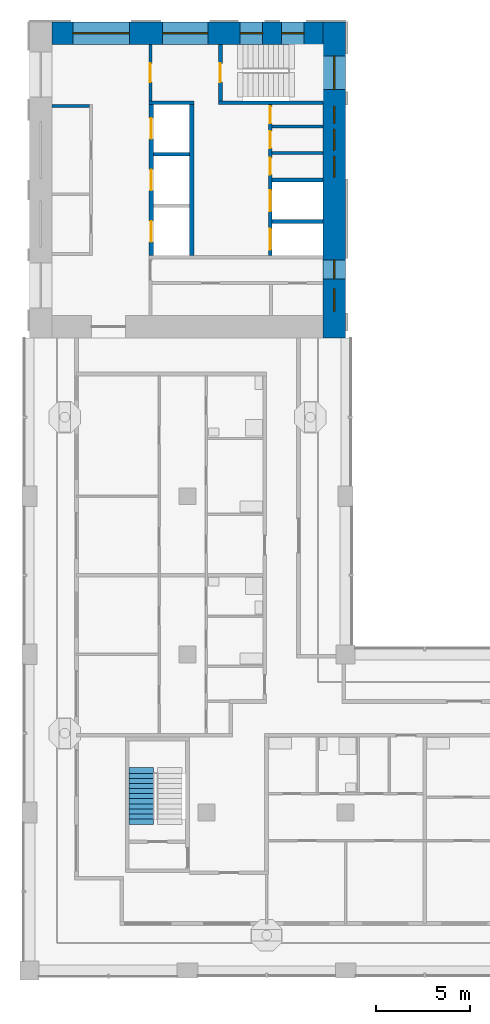
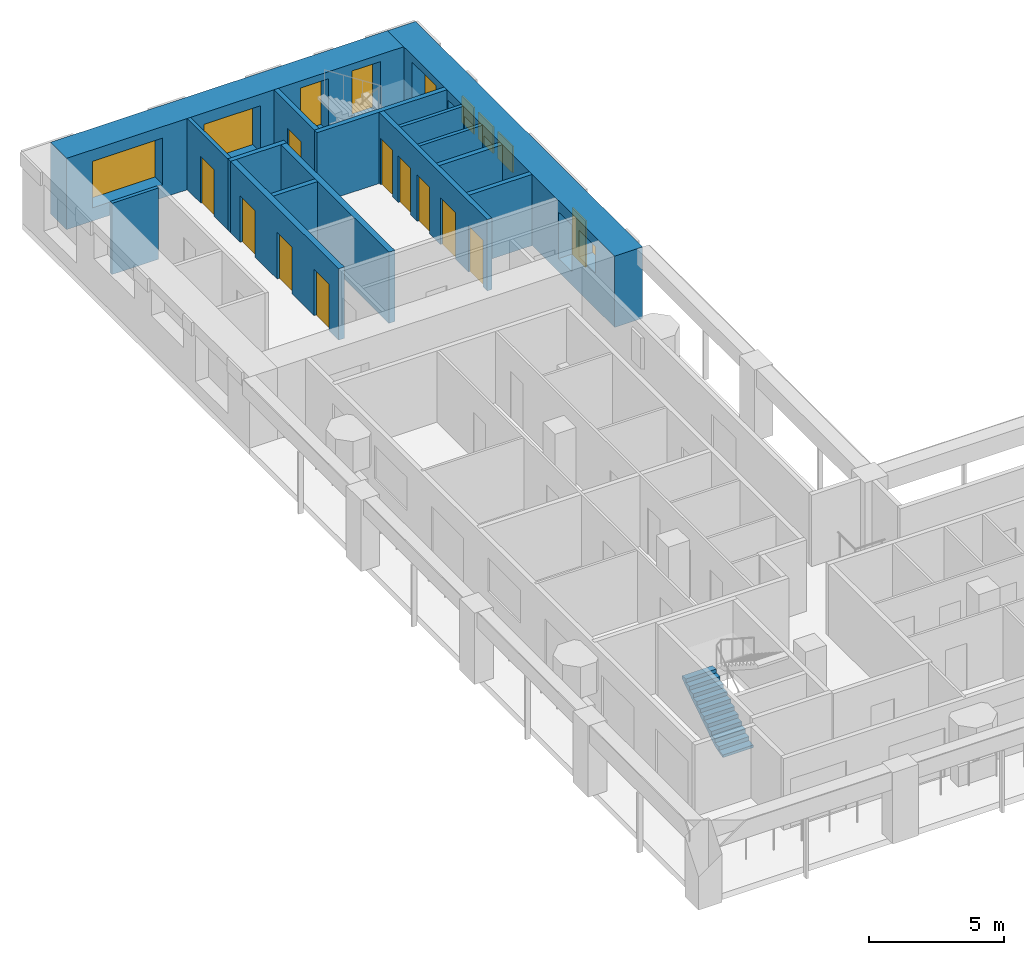
# One storey, part 6 of 12: 15 walls, 10 doors, 10 windows, 1 stair flight, 20 openings, 1 element without a shape of its own.
"""IFC4 building model written with IfcOpenShell, lengths in metres."""

from ifc_helpers import new_model, si_unit, direction, frame, frame_2d, origin, place, context, subcontext, project, spatial, polyline, rectangle, outline, extrude, material, layer, layer_set, type_object, element, fill, aggregate, save


model = new_model("IFC4")

# Units and contexts
model_context = context("Model", 3, precision=1e-05, world=origin(), true_north=direction((0.0, 1.0)))
body_context = subcontext(model_context, "Body", "Model", "MODEL_VIEW")
ifc_project = project(units=[si_unit("LENGTHUNIT", "METRE"), si_unit("AREAUNIT", "SQUARE_METRE"), si_unit("VOLUMEUNIT", "CUBIC_METRE"), si_unit("PLANEANGLEUNIT", "RADIAN"), si_unit("MASSUNIT", "GRAM", prefix="KILO")], contexts=[model_context])

# Site, building, storey
site_placement = place(None, origin())
site = spatial("IfcSite", under=ifc_project, at=site_placement, CompositionType="ELEMENT")
building_placement = place(site_placement, origin())
building = spatial("IfcBuilding", under=site, at=building_placement, Name="Vermilion Gate Residences", CompositionType="ELEMENT")
storey_placement = place(building_placement, frame((0.0, 0.0, 214.199951171875)))
storey = spatial("IfcBuildingStorey", under=building, at=storey_placement, Name="L55", CompositionType="ELEMENT", Elevation=214.199951171875)

# Walls
ifc_material_1 = material(Name="Masonry blockwork", Category="masonry")
ifc_layer_1 = layer(ifc_material_1, 0.14990234375)
ifc_layer_set_1 = layer_set([ifc_layer_1], Name="BLOCKWORK PARTITION 150 EI 120")
wall_type_1 = type_object("IfcWallType", Name="BLOCKWORK PARTITION 150 EI 120", PredefinedType="PARTITIONING", material=ifc_layer_set_1)
wall_1_placement = place(storey_placement, frame((9.60009765625, 54.324951171875, 0.0), z_axis=(0.0, 0.0, 1.0), x_axis=(1.0, 0.0, 0.0)))
element("IfcWall", 1, at=wall_1_placement, inside=storey, type_object=wall_type_1, Name="Core room partition B55-RW-W", PredefinedType="PARTITIONING", context=body_context, shape_type="SweptSolid", body=[
    extrude(rectangle(XDim=2.0, YDim=0.14990234375, at=frame_2d((1.0, 0.0))), origin(), (0.0, 0.0, 1.0), 3.219970703125),
])
for number, where, z_axis, x_axis, name in (
    (2, (21.300048828125, 53.2451171875, 0.0), (0.0, 0.0, 1.0), (1.0, 0.0, 0.0), "Core room partition B55-NR-P0"),
    (3, (21.300048828125, 51.8349609375, 0.0), (0.0, 0.0, 1.0), (1.0, 0.0, 0.0), "Core room partition B55-NR-P1"),
):
    element("IfcWall", number, at=place(storey_placement, frame(where, z_axis=z_axis, x_axis=x_axis)), inside=storey, type_object=wall_type_1, Name=name, PredefinedType="PARTITIONING", context=body_context, shape_type="SweptSolid", body=[
        extrude(rectangle(XDim=2.699951171875, YDim=0.14990234375, at=frame_2d((1.35009765625, 0.0))), origin(), (0.0, 0.0, 1.0), 3.219970703125),
    ])

# Wall, opening, door
wall_2_placement = place(storey_placement, frame((14.824951171875, 57.60009765625, 0.0), z_axis=(0.0, 0.0, 1.0), x_axis=(0.0, -1.0, 0.0)))
wall_2 = element("IfcWall", 4, at=wall_2_placement, inside=storey, type_object=wall_type_1, Name="Core room partition B55-VW-S", PredefinedType="PARTITIONING", context=body_context, shape_type="SweptSolid", body=[
    extrude(rectangle(XDim=3.0, YDim=0.14990234375, at=frame_2d((1.5, 0.0))), origin(), (0.0, 0.0, 1.0), 3.219970703125),
])
opening_1_placement = place(wall_2_placement, frame((1.0, 0.0, 0.0)))
opening_1 = element("IfcOpeningElement", 5, at=opening_1_placement, cuts=wall_2, Name="Opening DK55112", PredefinedType="OPENING", context=body_context, shape_type="SweptSolid", body=[
    extrude(rectangle(XDim=1.0, YDim=2.10009765625, at=frame_2d((0.5, 1.050048828125))), frame((0.0, 0.0849609375, 0.0), z_axis=(0.0, -1.0, 0.0), x_axis=(1.0, 0.0, 0.0)), (0.0, 0.0, 1.0), 0.169921875),
])
ifc_material_2 = material(Name="Steel", Category="steel")
door_type_1 = type_object("IfcDoorType", Name="FIRE DOOR FD60 1000 X 2100", OperationType="SINGLE_SWING_LEFT", PredefinedType="DOOR", material=ifc_material_2)
door_1_placement = place(opening_1_placement, frame((1.0, 0.0, 0.0), z_axis=(0.0, 0.0, 1.0), x_axis=(-1.0, 0.0, 0.0)))
door_1 = element("IfcDoor", 6, at=door_1_placement, inside=storey, type_object=door_type_1, Name="Stair vestibule door B55", OperationType="SINGLE_SWING_RIGHT", OverallHeight=2.10009765625, OverallWidth=1.0, PredefinedType="DOOR", context=body_context, shape_type="SweptSolid", body=[
    extrude(rectangle(XDim=1.0, YDim=2.10009765625, at=frame_2d((0.5, 1.050048828125))), frame((0.0, 0.02490234375, 0.0), z_axis=(0.0, -1.0, 0.0), x_axis=(1.0, 0.0, 0.0)), (0.0, 0.0, 1.0), 0.050048828125),
])
fill(opening_1, door_1)

# Walls
ifc_material_3 = material(Name="Concrete C60", Category="concrete")
ifc_layer_2 = layer(ifc_material_3, 0.199951171875)
ifc_layer_set_2 = layer_set([ifc_layer_2], Name="RC CORE INTERNAL WALL 200 C60")
wall_type_2 = type_object("IfcWallType", Name="RC CORE INTERNAL WALL 200 C60", PredefinedType="SHEAR", material=ifc_layer_set_2)
wall_3_placement = place(storey_placement, frame((15.0, 51.7666015625, 0.0), z_axis=(0.0, 0.0, 1.0), x_axis=(1.0, 0.0, 0.0)))
element("IfcWall", 7, at=wall_3_placement, inside=storey, type_object=wall_type_2, Name="Core internal wall B55-HR-D1", PredefinedType="SHEAR", context=body_context, shape_type="SweptSolid", body=[
    extrude(rectangle(XDim=1.89990234375, YDim=0.199951171875, at=frame_2d((0.949951171875, 0.0))), origin(), (0.0, 0.0, 1.0), 3.219970703125),
])
for number, where, z_axis, x_axis, name in (
    (8, (21.300048828125, 50.39990234375, 0.0), (0.0, 0.0, 1.0), (1.0, 0.0, 0.0), "Core internal wall B55-FF-D0"),
    (9, (21.300048828125, 48.199951171875, 0.0), (0.0, 0.0, 1.0), (1.0, 0.0, 0.0), "Core internal wall B55-FF-D1"),
):
    element("IfcWall", number, at=place(storey_placement, frame(where, z_axis=z_axis, x_axis=x_axis)), inside=storey, type_object=wall_type_2, Name=name, PredefinedType="SHEAR", context=body_context, shape_type="SweptSolid", body=[
        extrude(rectangle(XDim=2.699951171875, YDim=0.199951171875, at=frame_2d((1.35009765625, 0.0))), origin(), (0.0, 0.0, 1.0), 3.219970703125),
    ])

# Wall, openings, doors
wall_4_placement = place(storey_placement, frame((21.199951171875, 54.39990234375, 0.0), z_axis=(0.0, 0.0, 1.0), x_axis=(0.0, -1.0, 0.0)))
wall_4 = element("IfcWall", 10, at=wall_4_placement, inside=storey, type_object=wall_type_2, Name="Core internal wall B55-FF-F", PredefinedType="SHEAR", context=body_context, shape_type="SweptSolid", body=[
    extrude(rectangle(XDim=8.0, YDim=0.199951171875, at=frame_2d((4.0, 0.0))), origin(), (0.0, 0.0, 1.0), 3.219970703125),
])
opening_2_placement = place(wall_4_placement, frame((0.090087890625, 0.0, 0.0)))
opening_2 = element("IfcOpeningElement", 11, at=opening_2_placement, cuts=wall_4, Name="Opening DK55107", PredefinedType="OPENING", context=body_context, shape_type="SweptSolid", body=[
    extrude(rectangle(XDim=0.89990234375, YDim=2.10009765625, at=frame_2d((0.449951171875, 1.050048828125))), frame((0.0, 0.10986328125, 0.0), z_axis=(0.0, -1.0, 0.0), x_axis=(1.0, 0.0, 0.0)), (0.0, 0.0, 1.0), 0.219970703125),
])
opening_3_placement = place(wall_4_placement, frame((1.409912109375, 0.0, 0.0)))
opening_3 = element("IfcOpeningElement", 12, at=opening_3_placement, cuts=wall_4, Name="Opening DK55108", PredefinedType="OPENING", context=body_context, shape_type="SweptSolid", body=[
    extrude(rectangle(XDim=0.89990234375, YDim=2.10009765625, at=frame_2d((0.449951171875, 1.050048828125))), frame((0.0, 0.10986328125, 0.0), z_axis=(0.0, -1.0, 0.0), x_axis=(1.0, 0.0, 0.0)), (0.0, 0.0, 1.0), 0.219970703125),
])
opening_4_placement = place(wall_4_placement, frame((2.820068359375, 0.0, 0.0)))
opening_4 = element("IfcOpeningElement", 13, at=opening_4_placement, cuts=wall_4, Name="Opening DK55109", PredefinedType="OPENING", context=body_context, shape_type="SweptSolid", body=[
    extrude(rectangle(XDim=0.89990234375, YDim=2.10009765625, at=frame_2d((0.449951171875, 1.050048828125))), frame((0.0, 0.10986328125, 0.0), z_axis=(0.0, -1.0, 0.0), x_axis=(1.0, 0.0, 0.0)), (0.0, 0.0, 1.0), 0.219970703125),
])
opening_5_placement = place(wall_4_placement, frame((4.550048828125, 0.0, 0.0)))
opening_5 = element("IfcOpeningElement", 14, at=opening_5_placement, cuts=wall_4, Name="Opening LD", PredefinedType="OPENING", context=body_context, shape_type="SweptSolid", body=[
    extrude(rectangle(XDim=1.10009765625, YDim=2.10009765625, at=frame_2d((0.550048828125, 1.050048828125))), frame((0.0, 0.10986328125, 0.0), z_axis=(0.0, -1.0, 0.0), x_axis=(1.0, 0.0, 0.0)), (0.0, 0.0, 1.0), 0.219970703125),
])
opening_6_placement = place(wall_4_placement, frame((6.60009765625, 0.0, 0.0)))
opening_6 = element("IfcOpeningElement", 15, at=opening_6_placement, cuts=wall_4, Name="Opening LD", PredefinedType="OPENING", context=body_context, shape_type="SweptSolid", body=[
    extrude(rectangle(XDim=1.10009765625, YDim=2.10009765625, at=frame_2d((0.550048828125, 1.050048828125))), frame((0.0, 0.10986328125, 0.0), z_axis=(0.0, -1.0, 0.0), x_axis=(1.0, 0.0, 0.0)), (0.0, 0.0, 1.0), 0.219970703125),
])
ifc_material_4 = material(Name="Stainless steel", Category="steel")
door_type_2 = type_object("IfcDoorType", Name="LIFT LANDING DOOR E60 1100 X 2100", OperationType="DOUBLE_DOOR_SLIDING", PredefinedType="DOOR", material=ifc_material_4)
door_2_placement = place(opening_5_placement, origin())
door_2 = element("IfcDoor", 16, at=door_2_placement, inside=storey, type_object=door_type_2, Name="Lift landing door LFB1", OperationType="DOUBLE_DOOR_SLIDING", OverallHeight=2.10009765625, OverallWidth=1.10009765625, PredefinedType="DOOR", context=body_context, shape_type="SweptSolid", body=[
    extrude(rectangle(XDim=1.10009765625, YDim=2.10009765625, at=frame_2d((0.550048828125, 1.050048828125))), frame((0.0, 0.02490234375, 0.0), z_axis=(0.0, -1.0, 0.0), x_axis=(1.0, 0.0, 0.0)), (0.0, 0.0, 1.0), 0.050048828125),
])
fill(opening_5, door_2)
door_3_placement = place(opening_6_placement, origin())
door_3 = element("IfcDoor", 17, at=door_3_placement, inside=storey, type_object=door_type_2, Name="Lift landing door LCB1", OperationType="DOUBLE_DOOR_SLIDING", OverallHeight=2.10009765625, OverallWidth=1.10009765625, PredefinedType="DOOR", context=body_context, shape_type="SweptSolid", body=[
    extrude(rectangle(XDim=1.10009765625, YDim=2.10009765625, at=frame_2d((0.550048828125, 1.050048828125))), frame((0.0, 0.02490234375, 0.0), z_axis=(0.0, -1.0, 0.0), x_axis=(1.0, 0.0, 0.0)), (0.0, 0.0, 1.0), 0.050048828125),
])
fill(opening_6, door_3)
ifc_material_5 = material(Name="Steel", Category="steel")
door_type_3 = type_object("IfcDoorType", Name="SERVICE ROOM DOOR FD60 900 X 2100", OperationType="SINGLE_SWING_LEFT", PredefinedType="DOOR", material=ifc_material_5)
door_4_placement = place(opening_2_placement, origin())
door_4 = element("IfcDoor", 18, at=door_4_placement, inside=storey, type_object=door_type_3, Name="Parcel room B55", OperationType="SINGLE_SWING_RIGHT", OverallHeight=2.10009765625, OverallWidth=0.89990234375, PredefinedType="DOOR", context=body_context, shape_type="SweptSolid", body=[
    extrude(rectangle(XDim=0.89990234375, YDim=2.10009765625, at=frame_2d((0.449951171875, 1.050048828125))), frame((0.0, 0.02490234375, 0.0), z_axis=(0.0, -1.0, 0.0), x_axis=(1.0, 0.0, 0.0)), (0.0, 0.0, 1.0), 0.050048828125),
])
fill(opening_2, door_4)
door_5_placement = place(opening_3_placement, frame((0.89990234375, 0.0, 0.0), z_axis=(0.0, 0.0, 1.0), x_axis=(-1.0, 0.0, 0.0)))
door_5 = element("IfcDoor", 19, at=door_5_placement, inside=storey, type_object=door_type_3, Name="Electrical room B55", OperationType="SINGLE_SWING_RIGHT", OverallHeight=2.10009765625, OverallWidth=0.89990234375, PredefinedType="DOOR", context=body_context, shape_type="SweptSolid", body=[
    extrude(rectangle(XDim=0.89990234375, YDim=2.10009765625, at=frame_2d((0.449951171875, 1.050048828125))), frame((0.0, 0.02490234375, 0.0), z_axis=(0.0, -1.0, 0.0), x_axis=(1.0, 0.0, 0.0)), (0.0, 0.0, 1.0), 0.050048828125),
])
fill(opening_3, door_5)
door_6_placement = place(opening_4_placement, origin())
door_6 = element("IfcDoor", 20, at=door_6_placement, inside=storey, type_object=door_type_3, Name="Housekeeping store B55", OperationType="SINGLE_SWING_LEFT", OverallHeight=2.10009765625, OverallWidth=0.89990234375, PredefinedType="DOOR", context=body_context, shape_type="SweptSolid", body=[
    extrude(rectangle(XDim=0.89990234375, YDim=2.10009765625, at=frame_2d((0.449951171875, 1.050048828125))), frame((0.0, 0.02490234375, 0.0), z_axis=(0.0, -1.0, 0.0), x_axis=(1.0, 0.0, 0.0)), (0.0, 0.0, 1.0), 0.050048828125),
])
fill(opening_4, door_6)

# Walls
wall_5_placement = place(storey_placement, frame((14.75, 54.5, 0.0), z_axis=(0.0, 0.0, 1.0), x_axis=(1.0, 0.0, 0.0)))
element("IfcWall", 21, at=wall_5_placement, inside=storey, type_object=wall_type_2, Name="Core internal wall B55-WDIV1", PredefinedType="SHEAR", context=body_context, shape_type="SweptSolid", body=[
    extrude(rectangle(XDim=2.39990234375, YDim=0.199951171875, at=frame_2d((1.199951171875, 0.0))), origin(), (0.0, 0.0, 1.0), 3.219970703125),
])
wall_6_placement = place(storey_placement, frame((18.449951171875, 54.5, 0.0), z_axis=(0.0, 0.0, 1.0), x_axis=(1.0, 0.0, 0.0)))
element("IfcWall", 22, at=wall_6_placement, inside=storey, type_object=wall_type_2, Name="Core internal wall B55-WDIV2", PredefinedType="SHEAR", context=body_context, shape_type="SweptSolid", body=[
    extrude(rectangle(XDim=5.550048828125, YDim=0.199951171875, at=frame_2d((2.77490234375, 0.0))), origin(), (0.0, 0.0, 1.0), 3.219970703125),
])

# Wall, opening, door
wall_7_placement = place(storey_placement, frame((18.550048828125, 57.60009765625, 0.0), z_axis=(0.0, 0.0, 1.0), x_axis=(0.0, -1.0, 0.0)))
wall_7 = element("IfcWall", 23, at=wall_7_placement, inside=storey, type_object=wall_type_2, Name="Core internal wall B55-STW-S", PredefinedType="SHEAR", context=body_context, shape_type="SweptSolid", body=[
    extrude(rectangle(XDim=3.0, YDim=0.199951171875, at=frame_2d((1.5, 0.0))), origin(), (0.0, 0.0, 1.0), 3.219970703125),
])
opening_7_placement = place(wall_7_placement, frame((1.0, 0.0, 0.0)))
opening_7 = element("IfcOpeningElement", 24, at=opening_7_placement, cuts=wall_7, Name="Opening DK55113", PredefinedType="OPENING", context=body_context, shape_type="SweptSolid", body=[
    extrude(rectangle(XDim=1.0, YDim=2.10009765625, at=frame_2d((0.5, 1.050048828125))), frame((0.0, 0.10986328125, 0.0), z_axis=(0.0, -1.0, 0.0), x_axis=(1.0, 0.0, 0.0)), (0.0, 0.0, 1.0), 0.219970703125),
])
door_7_placement = place(opening_7_placement, origin())
door_7 = element("IfcDoor", 25, at=door_7_placement, inside=storey, type_object=door_type_1, Name="Stair door B55", OperationType="SINGLE_SWING_LEFT", OverallHeight=2.10009765625, OverallWidth=1.0, PredefinedType="DOOR", context=body_context, shape_type="SweptSolid", body=[
    extrude(rectangle(XDim=1.0, YDim=2.10009765625, at=frame_2d((0.5, 1.050048828125))), frame((0.0, 0.02490234375, 0.0), z_axis=(0.0, -1.0, 0.0), x_axis=(1.0, 0.0, 0.0)), (0.0, 0.0, 1.0), 0.050048828125),
])
fill(opening_7, door_7)

# Wall, openings, windows
ifc_material_6 = material(Name="Concrete C50 red-oxide pigmented", Category="concrete")
ifc_layer_3 = layer(ifc_material_6, 1.199951171875)
ifc_layer_set_3 = layer_set([ifc_layer_3], Name="RC CORE WALL 1200 C50 RED OXIDE")
wall_type_3 = type_object("IfcWallType", Name="RC CORE WALL 1200 C50 RED OXIDE", PredefinedType="SHEAR", material=ifc_layer_set_3)
wall_8_placement = place(storey_placement, frame((24.60009765625, 58.800048828125, 0.0), z_axis=(0.0, 0.0, 1.0), x_axis=(0.0, -1.0, 0.0)))
wall_8 = element("IfcWall", 26, at=wall_8_placement, inside=storey, type_object=wall_type_3, Name="Core wall B55-OUT-B1", PredefinedType="SHEAR", context=body_context, shape_type="SweptSolid", body=[
    extrude(rectangle(XDim=16.800048828125, YDim=1.199951171875, at=frame_2d((8.39990234375, 0.0))), origin(), (0.0, 0.0, 1.0), 3.219970703125),
])
opening_8_placement = place(wall_8_placement, frame((1.800048828125, 0.0, 0.5)))
opening_8 = element("IfcOpeningElement", 27, at=opening_8_placement, cuts=wall_8, Name="Opening WKB5505", PredefinedType="OPENING", context=body_context, shape_type="SweptSolid", body=[
    extrude(rectangle(XDim=1.800048828125, YDim=2.39990234375, at=frame_2d((0.89990234375, 1.199951171875))), frame((0.0, 0.60986328125, 0.0), z_axis=(0.0, -1.0, 0.0), x_axis=(1.0, 0.0, 0.0)), (0.0, 0.0, 1.0), 1.219970703125),
])
opening_9_placement = place(wall_8_placement, frame((4.489990234375, 0.0, 1.60009765625)))
opening_9 = element("IfcOpeningElement", 28, at=opening_9_placement, cuts=wall_8, Name="Opening WKB5506", PredefinedType="OPENING", context=body_context, shape_type="SweptSolid", body=[
    extrude(rectangle(XDim=0.89990234375, YDim=1.199951171875, at=frame_2d((0.449951171875, 0.60009765625))), frame((0.0, 0.60986328125, 0.0), z_axis=(0.0, -1.0, 0.0), x_axis=(1.0, 0.0, 0.0)), (0.0, 0.0, 1.0), 1.219970703125),
])
opening_10_placement = place(wall_8_placement, frame((5.7099609375, 0.0, 1.60009765625)))
opening_10 = element("IfcOpeningElement", 29, at=opening_10_placement, cuts=wall_8, Name="Opening WKB5507", PredefinedType="OPENING", context=body_context, shape_type="SweptSolid", body=[
    extrude(rectangle(XDim=1.10009765625, YDim=1.199951171875, at=frame_2d((0.550048828125, 0.60009765625))), frame((0.0, 0.60986328125, 0.0), z_axis=(0.0, -1.0, 0.0), x_axis=(1.0, 0.0, 0.0)), (0.0, 0.0, 1.0), 1.219970703125),
])
opening_11_placement = place(wall_8_placement, frame((7.14990234375, 0.0, 1.60009765625)))
opening_11 = element("IfcOpeningElement", 30, at=opening_11_placement, cuts=wall_8, Name="Opening WKB5508", PredefinedType="OPENING", context=body_context, shape_type="SweptSolid", body=[
    extrude(rectangle(XDim=1.10009765625, YDim=1.199951171875, at=frame_2d((0.550048828125, 0.60009765625))), frame((0.0, 0.60986328125, 0.0), z_axis=(0.0, -1.0, 0.0), x_axis=(1.0, 0.0, 0.0)), (0.0, 0.0, 1.0), 1.219970703125),
])
opening_12_placement = place(wall_8_placement, frame((12.64990234375, 0.0, 0.60009765625)))
opening_12 = element("IfcOpeningElement", 31, at=opening_12_placement, cuts=wall_8, Name="Opening WKB5509", PredefinedType="OPENING", context=body_context, shape_type="SweptSolid", body=[
    extrude(rectangle(XDim=1.0, YDim=2.10009765625, at=frame_2d((0.5, 1.050048828125))), frame((0.0, 0.60986328125, 0.0), z_axis=(0.0, -1.0, 0.0), x_axis=(1.0, 0.0, 0.0)), (0.0, 0.0, 1.0), 1.219970703125),
])
opening_13_placement = place(wall_8_placement, frame((14.175048828125, 0.0, 1.60009765625)))
opening_13 = element("IfcOpeningElement", 32, at=opening_13_placement, cuts=wall_8, Name="Opening WKB5510", PredefinedType="OPENING", context=body_context, shape_type="SweptSolid", body=[
    extrude(rectangle(XDim=1.199951171875, YDim=1.199951171875, at=frame_2d((0.60009765625, 0.60009765625))), frame((0.0, 0.60986328125, 0.0), z_axis=(0.0, -1.0, 0.0), x_axis=(1.0, 0.0, 0.0)), (0.0, 0.0, 1.0), 1.219970703125),
])
ifc_material_7 = material(Name="Aluminium and clear glass", Category="aluminium")
window_type_1 = type_object("IfcWindowType", Name="CORE CORRIDOR WINDOW 1000 X 2100", PartitioningType="SINGLE_PANEL", PredefinedType="WINDOW", material=ifc_material_7)
window_1_placement = place(opening_12_placement, origin())
window_1 = element("IfcWindow", 33, at=window_1_placement, inside=storey, type_object=window_type_1, Name="Core corridor window", OverallHeight=2.10009765625, OverallWidth=1.0, PartitioningType="SINGLE_PANEL", PredefinedType="WINDOW", context=body_context, shape_type="SweptSolid", body=[
    extrude(rectangle(XDim=1.0, YDim=2.10009765625, at=frame_2d((0.5, 1.050048828125))), frame((0.0, 0.030029296875, 0.0), z_axis=(0.0, -1.0, 0.0), x_axis=(1.0, 0.0, 0.0)), (0.0, 0.0, 1.0), 0.06005859375),
])
fill(opening_12, window_1)
ifc_material_8 = material(Name="Aluminium frame with louvre blades", Category="aluminium")
window_type_2 = type_object("IfcWindowType", Name="CORE LOUVRE 1100 X 1200", PartitioningType="SINGLE_PANEL", PredefinedType="WINDOW", material=ifc_material_8)
window_2_placement = place(opening_10_placement, origin())
window_2 = element("IfcWindow", 34, at=window_2_placement, inside=storey, type_object=window_type_2, Name="Core louvre", OverallHeight=1.199951171875, OverallWidth=1.10009765625, PartitioningType="SINGLE_PANEL", PredefinedType="WINDOW", context=body_context, shape_type="SweptSolid", body=[
    extrude(rectangle(XDim=1.10009765625, YDim=1.199951171875, at=frame_2d((0.550048828125, 0.60009765625))), frame((0.0, 0.030029296875, 0.0), z_axis=(0.0, -1.0, 0.0), x_axis=(1.0, 0.0, 0.0)), (0.0, 0.0, 1.0), 0.06005859375),
])
fill(opening_10, window_2)
window_3_placement = place(opening_11_placement, origin())
window_3 = element("IfcWindow", 35, at=window_3_placement, inside=storey, type_object=window_type_2, Name="Core louvre", OverallHeight=1.199951171875, OverallWidth=1.10009765625, PartitioningType="SINGLE_PANEL", PredefinedType="WINDOW", context=body_context, shape_type="SweptSolid", body=[
    extrude(rectangle(XDim=1.10009765625, YDim=1.199951171875, at=frame_2d((0.550048828125, 0.60009765625))), frame((0.0, 0.030029296875, 0.0), z_axis=(0.0, -1.0, 0.0), x_axis=(1.0, 0.0, 0.0)), (0.0, 0.0, 1.0), 0.06005859375),
])
fill(opening_11, window_3)
ifc_material_9 = material(Name="Aluminium frame with louvre blades", Category="aluminium")
window_type_3 = type_object("IfcWindowType", Name="CORE LOUVRE 1200 X 1200", PartitioningType="SINGLE_PANEL", PredefinedType="WINDOW", material=ifc_material_9)
window_4_placement = place(opening_13_placement, origin())
window_4 = element("IfcWindow", 36, at=window_4_placement, inside=storey, type_object=window_type_3, Name="Core louvre", OverallHeight=1.199951171875, OverallWidth=1.199951171875, PartitioningType="SINGLE_PANEL", PredefinedType="WINDOW", context=body_context, shape_type="SweptSolid", body=[
    extrude(rectangle(XDim=1.199951171875, YDim=1.199951171875, at=frame_2d((0.60009765625, 0.60009765625))), frame((0.0, 0.030029296875, 0.0), z_axis=(0.0, -1.0, 0.0), x_axis=(1.0, 0.0, 0.0)), (0.0, 0.0, 1.0), 0.06005859375),
])
fill(opening_13, window_4)
ifc_material_10 = material(Name="Aluminium frame with louvre blades", Category="aluminium")
window_type_4 = type_object("IfcWindowType", Name="CORE LOUVRE 900 X 1200", PartitioningType="SINGLE_PANEL", PredefinedType="WINDOW", material=ifc_material_10)
window_5_placement = place(opening_9_placement, origin())
window_5 = element("IfcWindow", 37, at=window_5_placement, inside=storey, type_object=window_type_4, Name="Core louvre", OverallHeight=1.199951171875, OverallWidth=0.89990234375, PartitioningType="SINGLE_PANEL", PredefinedType="WINDOW", context=body_context, shape_type="SweptSolid", body=[
    extrude(rectangle(XDim=0.89990234375, YDim=1.199951171875, at=frame_2d((0.449951171875, 0.60009765625))), frame((0.0, 0.030029296875, 0.0), z_axis=(0.0, -1.0, 0.0), x_axis=(1.0, 0.0, 0.0)), (0.0, 0.0, 1.0), 0.06005859375),
])
fill(opening_9, window_5)
ifc_material_11 = material(Name="Aluminium and clear glass", Category="aluminium")
window_type_5 = type_object("IfcWindowType", Name="CORE STAIR WINDOW 1800 X 2400", PartitioningType="SINGLE_PANEL", PredefinedType="WINDOW", material=ifc_material_11)
window_6_placement = place(opening_8_placement, origin())
window_6 = element("IfcWindow", 38, at=window_6_placement, inside=storey, type_object=window_type_5, Name="Core stair window", OverallHeight=2.39990234375, OverallWidth=1.800048828125, PartitioningType="SINGLE_PANEL", PredefinedType="WINDOW", context=body_context, shape_type="SweptSolid", body=[
    extrude(rectangle(XDim=1.800048828125, YDim=2.39990234375, at=frame_2d((0.89990234375, 1.199951171875))), frame((0.0, 0.030029296875, 0.0), z_axis=(0.0, -1.0, 0.0), x_axis=(1.0, 0.0, 0.0)), (0.0, 0.0, 1.0), 0.06005859375),
])
fill(opening_8, window_6)

wall_9_placement = place(storey_placement, frame((9.60009765625, 58.199951171875, 0.0), z_axis=(0.0, 0.0, 1.0), x_axis=(1.0, 0.0, 0.0)))
wall_9 = element("IfcWall", 39, at=wall_9_placement, inside=storey, type_object=wall_type_3, Name="Core wall B55-OUT-FR", PredefinedType="SHEAR", context=body_context, shape_type="SweptSolid", body=[
    extrude(rectangle(XDim=14.39990234375, YDim=1.199951171875, at=frame_2d((7.199951171875, 0.0))), origin(), (0.0, 0.0, 1.0), 3.219970703125),
])
opening_14_placement = place(wall_9_placement, frame((1.10498046875, 0.0, 0.60009765625)))
opening_14 = element("IfcOpeningElement", 40, at=opening_14_placement, cuts=wall_9, Name="Opening WKB5511", PredefinedType="OPENING", context=body_context, shape_type="SweptSolid", body=[
    extrude(rectangle(XDim=3.0, YDim=2.10009765625, at=frame_2d((1.5, 1.050048828125))), frame((0.0, 0.60986328125, 0.0), z_axis=(0.0, -1.0, 0.0), x_axis=(1.0, 0.0, 0.0)), (0.0, 0.0, 1.0), 1.219970703125),
])
opening_15_placement = place(wall_9_placement, frame((5.875, 0.0, 0.60009765625)))
opening_15 = element("IfcOpeningElement", 41, at=opening_15_placement, cuts=wall_9, Name="Opening WKB5512", PredefinedType="OPENING", context=body_context, shape_type="SweptSolid", body=[
    extrude(rectangle(XDim=2.39990234375, YDim=2.10009765625, at=frame_2d((1.199951171875, 1.050048828125))), frame((0.0, 0.60986328125, 0.0), z_axis=(0.0, -1.0, 0.0), x_axis=(1.0, 0.0, 0.0)), (0.0, 0.0, 1.0), 1.219970703125),
])
opening_16_placement = place(wall_9_placement, frame((9.993408203125, 0.0, 0.5)))
opening_16 = element("IfcOpeningElement", 42, at=opening_16_placement, cuts=wall_9, Name="Opening WKB5513", PredefinedType="OPENING", context=body_context, shape_type="SweptSolid", body=[
    extrude(rectangle(XDim=1.199951171875, YDim=2.39990234375, at=frame_2d((0.60009765625, 1.199951171875))), frame((0.0, 0.60986328125, 0.0), z_axis=(0.0, -1.0, 0.0), x_axis=(1.0, 0.0, 0.0)), (0.0, 0.0, 1.0), 1.219970703125),
])
opening_17_placement = place(wall_9_placement, frame((12.19677734375, 0.0, 0.5)))
opening_17 = element("IfcOpeningElement", 43, at=opening_17_placement, cuts=wall_9, Name="Opening WKB5514", PredefinedType="OPENING", context=body_context, shape_type="SweptSolid", body=[
    extrude(rectangle(XDim=1.199951171875, YDim=2.39990234375, at=frame_2d((0.60009765625, 1.199951171875))), frame((0.0, 0.60986328125, 0.0), z_axis=(0.0, -1.0, 0.0), x_axis=(1.0, 0.0, 0.0)), (0.0, 0.0, 1.0), 1.219970703125),
])
ifc_material_12 = material(Name="Aluminium and clear glass", Category="aluminium")
window_type_6 = type_object("IfcWindowType", Name="CORE LOBBY WINDOW 2400 X 2100", PartitioningType="SINGLE_PANEL", PredefinedType="WINDOW", material=ifc_material_12)
window_7_placement = place(opening_15_placement, origin())
window_7 = element("IfcWindow", 44, at=window_7_placement, inside=storey, type_object=window_type_6, Name="Core lobby window", OverallHeight=2.10009765625, OverallWidth=2.39990234375, PartitioningType="SINGLE_PANEL", PredefinedType="WINDOW", context=body_context, shape_type="SweptSolid", body=[
    extrude(rectangle(XDim=2.39990234375, YDim=2.10009765625, at=frame_2d((1.199951171875, 1.050048828125))), frame((0.0, 0.030029296875, 0.0), z_axis=(0.0, -1.0, 0.0), x_axis=(1.0, 0.0, 0.0)), (0.0, 0.0, 1.0), 0.06005859375),
])
fill(opening_15, window_7)
ifc_material_13 = material(Name="Aluminium and clear glass", Category="aluminium")
window_type_7 = type_object("IfcWindowType", Name="CORE LOBBY WINDOW 3000 X 2100", PartitioningType="SINGLE_PANEL", PredefinedType="WINDOW", material=ifc_material_13)
window_8_placement = place(opening_14_placement, origin())
window_8 = element("IfcWindow", 45, at=window_8_placement, inside=storey, type_object=window_type_7, Name="Core lobby window", OverallHeight=2.10009765625, OverallWidth=3.0, PartitioningType="SINGLE_PANEL", PredefinedType="WINDOW", context=body_context, shape_type="SweptSolid", body=[
    extrude(rectangle(XDim=3.0, YDim=2.10009765625, at=frame_2d((1.5, 1.050048828125))), frame((0.0, 0.030029296875, 0.0), z_axis=(0.0, -1.0, 0.0), x_axis=(1.0, 0.0, 0.0)), (0.0, 0.0, 1.0), 0.06005859375),
])
fill(opening_14, window_8)
ifc_material_14 = material(Name="Aluminium and clear glass", Category="aluminium")
window_type_8 = type_object("IfcWindowType", Name="CORE STAIR WINDOW 1200 X 2400", PartitioningType="SINGLE_PANEL", PredefinedType="WINDOW", material=ifc_material_14)
window_9_placement = place(opening_16_placement, origin())
window_9 = element("IfcWindow", 46, at=window_9_placement, inside=storey, type_object=window_type_8, Name="Core stair window", OverallHeight=2.39990234375, OverallWidth=1.199951171875, PartitioningType="SINGLE_PANEL", PredefinedType="WINDOW", context=body_context, shape_type="SweptSolid", body=[
    extrude(rectangle(XDim=1.199951171875, YDim=2.39990234375, at=frame_2d((0.60009765625, 1.199951171875))), frame((0.0, 0.030029296875, 0.0), z_axis=(0.0, -1.0, 0.0), x_axis=(1.0, 0.0, 0.0)), (0.0, 0.0, 1.0), 0.06005859375),
])
fill(opening_16, window_9)
window_10_placement = place(opening_17_placement, origin())
window_10 = element("IfcWindow", 47, at=window_10_placement, inside=storey, type_object=window_type_8, Name="Core stair window", OverallHeight=2.39990234375, OverallWidth=1.199951171875, PartitioningType="SINGLE_PANEL", PredefinedType="WINDOW", context=body_context, shape_type="SweptSolid", body=[
    extrude(rectangle(XDim=1.199951171875, YDim=2.39990234375, at=frame_2d((0.60009765625, 1.199951171875))), frame((0.0, 0.030029296875, 0.0), z_axis=(0.0, -1.0, 0.0), x_axis=(1.0, 0.0, 0.0)), (0.0, 0.0, 1.0), 0.06005859375),
])
fill(opening_17, window_10)

# Wall, openings, doors
ifc_material_15 = material(Name="Concrete C60", Category="concrete")
ifc_layer_4 = layer(ifc_material_15, 0.25)
ifc_layer_set_4 = layer_set([ifc_layer_4], Name="RC LIFT SHAFT WALL 250 C60")
wall_type_4 = type_object("IfcWallType", Name="RC LIFT SHAFT WALL 250 C60", PredefinedType="SHEAR", material=ifc_layer_set_4)
wall_10_placement = place(storey_placement, frame((14.875, 54.39990234375, 0.0), z_axis=(0.0, 0.0, 1.0), x_axis=(0.0, -1.0, 0.0)))
wall_10 = element("IfcWall", 48, at=wall_10_placement, inside=storey, type_object=wall_type_4, Name="Lift shaft wall B55-HR-F", PredefinedType="SHEAR", context=body_context, shape_type="SweptSolid", body=[
    extrude(rectangle(XDim=8.0, YDim=0.25, at=frame_2d((4.0, 0.0))), origin(), (0.0, 0.0, 1.0), 3.219970703125),
])
opening_18_placement = place(wall_10_placement, frame((0.716552734375, 0.0, 0.0)))
opening_18 = element("IfcOpeningElement", 49, at=opening_18_placement, cuts=wall_10, Name="Opening LD", PredefinedType="OPENING", context=body_context, shape_type="SweptSolid", body=[
    extrude(rectangle(XDim=1.10009765625, YDim=2.10009765625, at=frame_2d((0.550048828125, 1.050048828125))), frame((0.0, 0.135009765625, 0.0), z_axis=(0.0, -1.0, 0.0), x_axis=(1.0, 0.0, 0.0)), (0.0, 0.0, 1.0), 0.27001953125),
])
opening_19_placement = place(wall_10_placement, frame((3.449951171875, 0.0, 0.0)))
opening_19 = element("IfcOpeningElement", 50, at=opening_19_placement, cuts=wall_10, Name="Opening LD", PredefinedType="OPENING", context=body_context, shape_type="SweptSolid", body=[
    extrude(rectangle(XDim=1.10009765625, YDim=2.10009765625, at=frame_2d((0.550048828125, 1.050048828125))), frame((0.0, 0.135009765625, 0.0), z_axis=(0.0, -1.0, 0.0), x_axis=(1.0, 0.0, 0.0)), (0.0, 0.0, 1.0), 0.27001953125),
])
opening_20_placement = place(wall_10_placement, frame((6.183349609375, 0.0, 0.0)))
opening_20 = element("IfcOpeningElement", 51, at=opening_20_placement, cuts=wall_10, Name="Opening LD", PredefinedType="OPENING", context=body_context, shape_type="SweptSolid", body=[
    extrude(rectangle(XDim=1.10009765625, YDim=2.10009765625, at=frame_2d((0.550048828125, 1.050048828125))), frame((0.0, 0.135009765625, 0.0), z_axis=(0.0, -1.0, 0.0), x_axis=(1.0, 0.0, 0.0)), (0.0, 0.0, 1.0), 0.27001953125),
])
door_8_placement = place(opening_18_placement, origin())
door_8 = element("IfcDoor", 52, at=door_8_placement, inside=storey, type_object=door_type_2, Name="Lift landing door HRB1", OperationType="DOUBLE_DOOR_SLIDING", OverallHeight=2.10009765625, OverallWidth=1.10009765625, PredefinedType="DOOR", context=body_context, shape_type="SweptSolid", body=[
    extrude(rectangle(XDim=1.10009765625, YDim=2.10009765625, at=frame_2d((0.550048828125, 1.050048828125))), frame((0.0, 0.02490234375, 0.0), z_axis=(0.0, -1.0, 0.0), x_axis=(1.0, 0.0, 0.0)), (0.0, 0.0, 1.0), 0.050048828125),
])
fill(opening_18, door_8)
door_9_placement = place(opening_19_placement, origin())
door_9 = element("IfcDoor", 53, at=door_9_placement, inside=storey, type_object=door_type_2, Name="Lift landing door HRB2", OperationType="DOUBLE_DOOR_SLIDING", OverallHeight=2.10009765625, OverallWidth=1.10009765625, PredefinedType="DOOR", context=body_context, shape_type="SweptSolid", body=[
    extrude(rectangle(XDim=1.10009765625, YDim=2.10009765625, at=frame_2d((0.550048828125, 1.050048828125))), frame((0.0, 0.02490234375, 0.0), z_axis=(0.0, -1.0, 0.0), x_axis=(1.0, 0.0, 0.0)), (0.0, 0.0, 1.0), 0.050048828125),
])
fill(opening_19, door_9)
door_10_placement = place(opening_20_placement, origin())
door_10 = element("IfcDoor", 54, at=door_10_placement, inside=storey, type_object=door_type_2, Name="Lift landing door HRB3", OperationType="DOUBLE_DOOR_SLIDING", OverallHeight=2.10009765625, OverallWidth=1.10009765625, PredefinedType="DOOR", context=body_context, shape_type="SweptSolid", body=[
    extrude(rectangle(XDim=1.10009765625, YDim=2.10009765625, at=frame_2d((0.550048828125, 1.050048828125))), frame((0.0, 0.02490234375, 0.0), z_axis=(0.0, -1.0, 0.0), x_axis=(1.0, 0.0, 0.0)), (0.0, 0.0, 1.0), 0.050048828125),
])
fill(opening_20, door_10)

# Wall
wall_11_placement = place(storey_placement, frame((17.02490234375, 54.39990234375, 0.0), z_axis=(0.0, 0.0, 1.0), x_axis=(0.0, -1.0, 0.0)))
element("IfcWall", 55, at=wall_11_placement, inside=storey, type_object=wall_type_4, Name="Lift shaft wall B55-HR-B", PredefinedType="SHEAR", context=body_context, shape_type="SweptSolid", body=[
    extrude(rectangle(XDim=8.0, YDim=0.25, at=frame_2d((4.0, 0.0))), origin(), (0.0, 0.0, 1.0), 3.219970703125),
])

# Stair, stair flight
ifc_material_16 = material(Name="Concrete C50", Category="concrete")
stair_type = type_object("IfcStairType", Name="SPECIAL ESCAPE STAIR 1300", PredefinedType="HALF_TURN_STAIR", material=ifc_material_16)
stair_placement = place(storey_placement, origin())
stair = element("IfcStair", 56, at=stair_placement, inside=storey, type_object=stair_type, Name="Special escape stair STC1-55", PredefinedType="HALF_TURN_STAIR")
ifc_material_17 = material(Name="Concrete C50", Category="concrete")
stair_flight_type = type_object("IfcStairFlightType", Name="STAIR FLIGHT 1300 RC C50", PredefinedType="STRAIGHT", material=ifc_material_17)
stair_flight_placement = place(storey_placement, frame((14.35009765625, 16.449951171875, 0.0), z_axis=(0.0, 0.0, 1.0), x_axis=(0.0, 1.0, 0.0)))
stair_flight = element("IfcStairFlight", 57, at=stair_flight_placement, type_object=stair_flight_type, Name="STC1-55 flight 1", NumberOfRisers=10, NumberOfTreads=9, PredefinedType="STRAIGHT", RiserHeight=0.175, TreadLength=0.27, context=body_context, shape_type="SweptSolid", body=[
    extrude(outline(polyline([(-0.300048828125, -0.14990234375), (-0.300048828125, -0.030029296875), (0.0, 0.0), (0.0, 0.175048828125), (0.27001953125, 0.175048828125), (0.27001953125, 0.35009765625), (0.5400390625, 0.35009765625), (0.5400390625, 0.52490234375), (0.81005859375, 0.52490234375), (0.81005859375, 0.699951171875), (1.080078125, 0.699951171875), (1.080078125, 0.875), (1.35009765625, 0.875), (1.35009765625, 1.050048828125), (1.6201171875, 1.050048828125), (1.6201171875, 1.22509765625), (1.889892578125, 1.22509765625), (1.889892578125, 1.39990234375), (2.159912109375, 1.39990234375), (2.159912109375, 1.574951171875), (2.429931640625, 1.574951171875), (2.429931640625, 1.75), (2.72998046875, 1.719970703125), (2.72998046875, 1.60009765625), (2.429931640625, 1.396484375), (0.275634765625, 0.0), (-0.300048828125, -0.14990234375)])), frame((0.0, 0.64990234375, 0.0), z_axis=(0.0, -1.0, 0.0), x_axis=(1.0, 0.0, 0.0)), (0.0, 0.0, 1.0), 1.300048828125),
])
aggregate(stair, [stair_flight])

save(model, "model.ifc")
